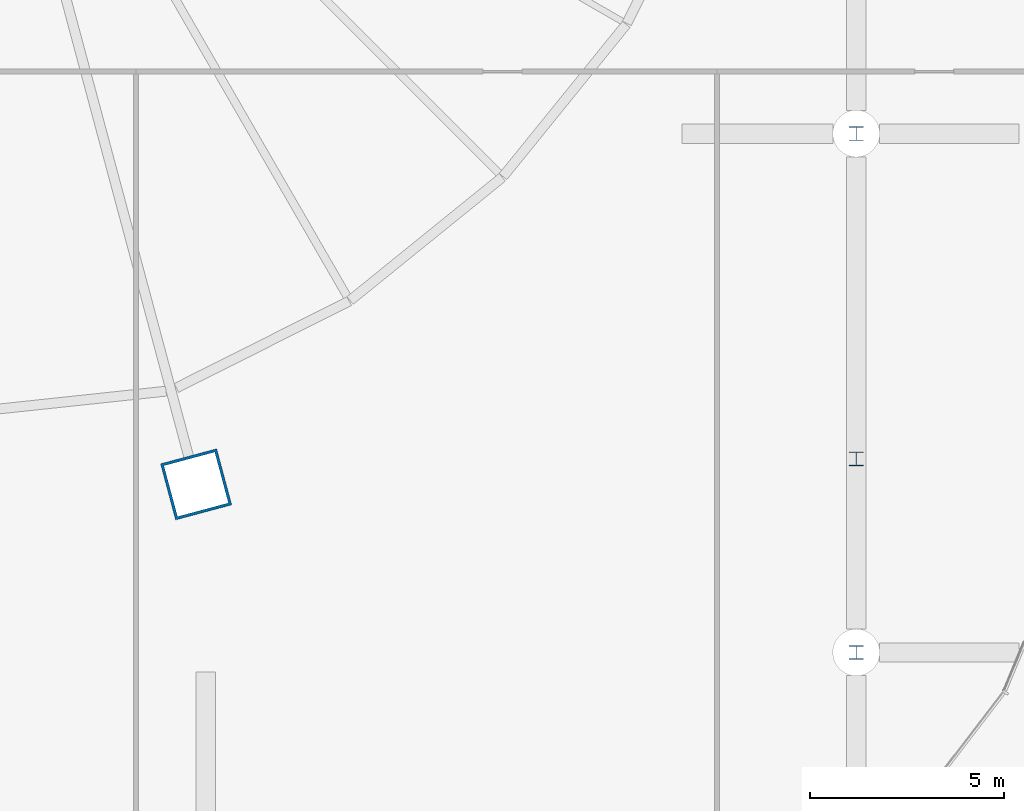
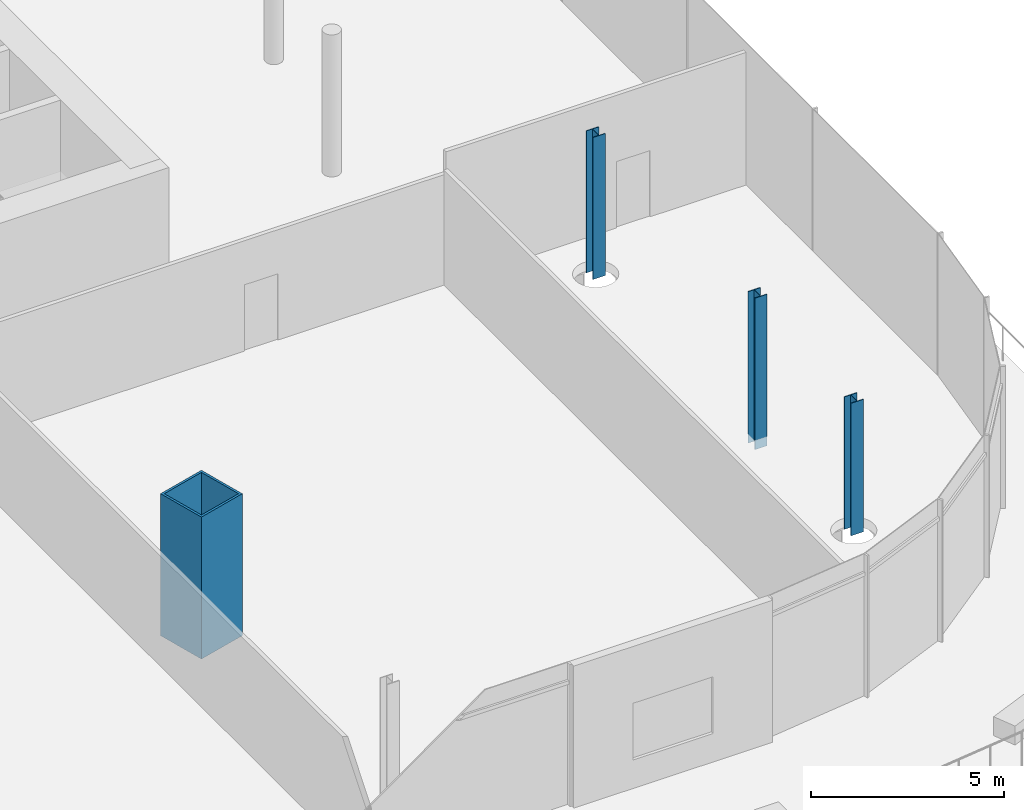
# One storey, part 6 of 56: 4 columns.
"""IFC4 building model written with IfcOpenShell, lengths in metres."""

from ifc_helpers import new_model, si_unit, direction, frame, origin, origin_2d, place, context, subcontext, project, spatial, hollow_rectangle, i_section, extrude, material, material_profile, profile_set, type_object, element, save


model = new_model("IFC4")

# Units and contexts
model_context = context("Model", 3, precision=1e-05, world=origin(), true_north=direction((0.0, 1.0)))
body_context = subcontext(model_context, "Body", "Model", "MODEL_VIEW")
ifc_project = project(units=[si_unit("LENGTHUNIT", "METRE"), si_unit("AREAUNIT", "SQUARE_METRE"), si_unit("VOLUMEUNIT", "CUBIC_METRE"), si_unit("PLANEANGLEUNIT", "RADIAN"), si_unit("MASSUNIT", "GRAM", prefix="KILO")], contexts=[model_context])

# Site, building, storey
site_placement = place(None, origin())
site = spatial("IfcSite", under=ifc_project, at=site_placement, CompositionType="ELEMENT")
building_placement = place(site_placement, origin())
building = spatial("IfcBuilding", under=site, at=building_placement, Name="Rimbun Link Towers", CompositionType="ELEMENT")
storey_placement = place(building_placement, frame((0.0, 0.0, 16.5)))
storey = spatial("IfcBuildingStorey", under=building, at=storey_placement, Name="L03", CompositionType="ELEMENT", Elevation=16.5)

# Columns
ifc_material_1 = material(Name="Steel S460N", Category="steel")
ifc_material_profile_1 = material_profile(ifc_material_1, hollow_rectangle(XDim=1.5, YDim=1.5, WallThickness=0.070068359375, at=origin_2d()), Name="BOX 1500x1500x70")
ifc_profile_set_1 = profile_set([ifc_material_profile_1], Name="Steel S460N")
column_type_1 = type_object("IfcColumnType", Name="BOX 1500x1500x70", PredefinedType="COLUMN", material=ifc_profile_set_1)
column_1_placement = place(storey_placement, frame((37.55322265625, -21.658203125, 0.0), z_axis=(0.0, 0.0, 1.0), x_axis=(0.258819045103, -0.965925826289, 0.0)))
element("IfcColumn", 1, at=column_1_placement, inside=storey, type_object=column_type_1, Name="Mega column T2 L03 16", PredefinedType="COLUMN", context=body_context, shape_type="SweptSolid", body=[
    extrude(hollow_rectangle(XDim=1.5, YDim=1.5, WallThickness=0.070068359375, at=origin_2d()), origin(), (0.0, 0.0, 1.0), 4.5),
])
ifc_material_2 = material(Name="Steel S355J2", Category="steel")
ifc_material_profile_2 = material_profile(ifc_material_2, i_section(OverallWidth=0.37060546875, OverallDepth=0.362060546875, WebThickness=0.01220703125, FlangeThickness=0.020751953125, at=origin_2d()), Name="UC 356x368x153")
ifc_profile_set_2 = profile_set([ifc_material_profile_2], Name="Steel S355J2")
column_type_2 = type_object("IfcColumnType", Name="UC 356x368x153", PredefinedType="COLUMN", material=ifc_profile_set_2)
column_2_placement = place(storey_placement, frame((54.60009765625, -26.0, 0.0), z_axis=(0.0, 0.0, 1.0), x_axis=(1.0, 0.0, 0.0)))
element("IfcColumn", 2, at=column_2_placement, inside=storey, type_object=column_type_2, Name="Column L03 +54.6 -26.0", PredefinedType="COLUMN", context=body_context, shape_type="SweptSolid", body=[
    extrude(i_section(OverallWidth=0.37060546875, OverallDepth=0.362060546875, WebThickness=0.01220703125, FlangeThickness=0.020751953125, at=origin_2d()), origin(), (0.0, 0.0, 1.0), 4.199951171875),
])
column_3_placement = place(storey_placement, frame((54.60009765625, -21.0, -0.300048828125), z_axis=(0.0, 0.0, 1.0), x_axis=(1.0, 0.0, 0.0)))
element("IfcColumn", 3, at=column_3_placement, inside=storey, type_object=column_type_2, Name="Column L03 +54.6 -21.0", PredefinedType="COLUMN", context=body_context, shape_type="SweptSolid", body=[
    extrude(i_section(OverallWidth=0.37060546875, OverallDepth=0.362060546875, WebThickness=0.01220703125, FlangeThickness=0.020751953125, at=origin_2d()), origin(), (0.0, 0.0, 1.0), 4.800048828125),
])
column_4_placement = place(storey_placement, frame((54.60009765625, -12.60009765625, 0.0), z_axis=(0.0, 0.0, 1.0), x_axis=(1.0, 0.0, 0.0)))
element("IfcColumn", 4, at=column_4_placement, inside=storey, type_object=column_type_2, Name="Column L03 +54.6 -12.6", PredefinedType="COLUMN", context=body_context, shape_type="SweptSolid", body=[
    extrude(i_section(OverallWidth=0.37060546875, OverallDepth=0.362060546875, WebThickness=0.01220703125, FlangeThickness=0.020751953125, at=origin_2d()), origin(), (0.0, 0.0, 1.0), 4.5),
])

save(model, "model.ifc")
